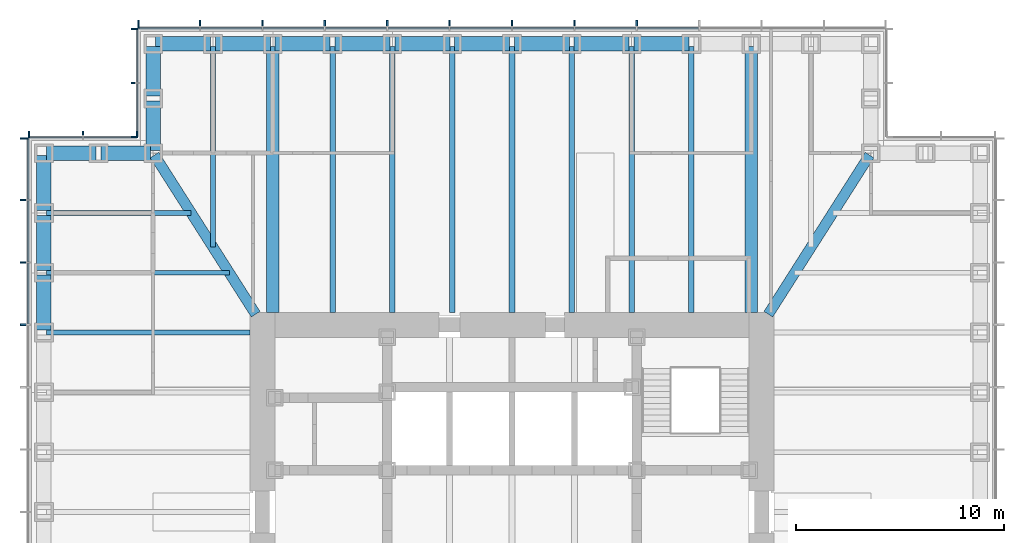
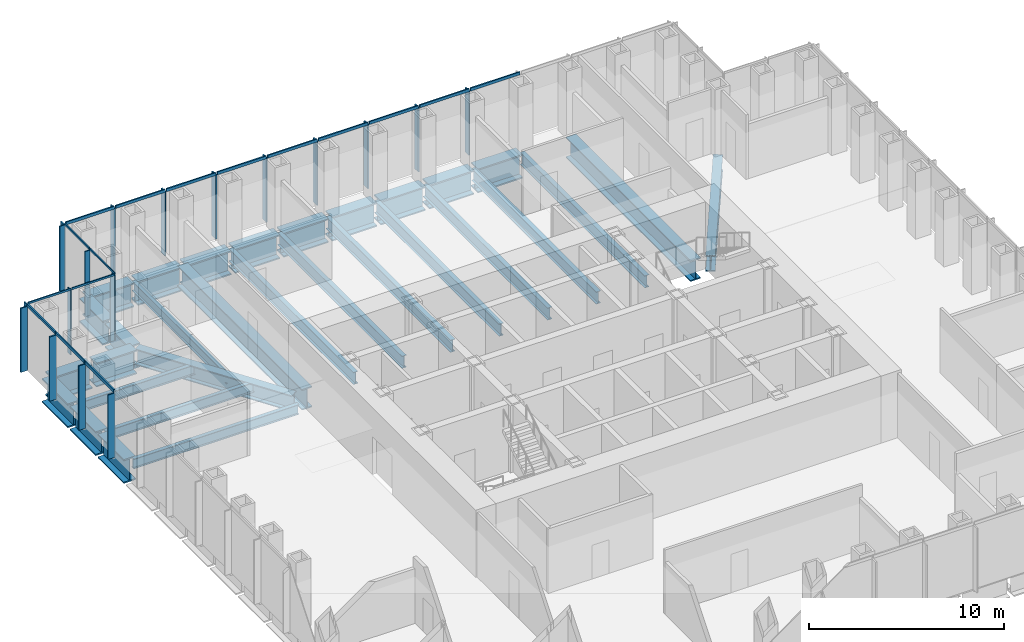
# One storey, part 5 of 17: 35 members, 31 beams, 4 elements without a shape of their own.
"""IFC4 building model written with IfcOpenShell, lengths in metres."""

from ifc_helpers import new_model, si_unit, direction, frame, origin, origin_2d, place, context, subcontext, project, spatial, rectangle, i_section, extrude, material, material_profile, profile_set, type_object, element, aggregate, save


model = new_model("IFC4")

# Units and contexts
model_context = context("Model", 3, precision=1e-05, world=origin(), true_north=direction((0.0, 1.0)))
body_context = subcontext(model_context, "Body", "Model", "MODEL_VIEW")
ifc_project = project(units=[si_unit("LENGTHUNIT", "METRE"), si_unit("AREAUNIT", "SQUARE_METRE"), si_unit("VOLUMEUNIT", "CUBIC_METRE"), si_unit("PLANEANGLEUNIT", "RADIAN"), si_unit("MASSUNIT", "GRAM", prefix="KILO")], contexts=[model_context])

# Site, building, storey
site_placement = place(None, origin())
site = spatial("IfcSite", under=ifc_project, at=site_placement, CompositionType="ELEMENT")
building_placement = place(site_placement, origin())
building = spatial("IfcBuilding", under=site, at=building_placement, Name="Daluyong Arena Tower", CompositionType="ELEMENT")
storey_placement = place(building_placement, frame((0.0, 0.0, 145.89990234375)))
storey = spatial("IfcBuildingStorey", under=building, at=storey_placement, Name="L32", CompositionType="ELEMENT", Elevation=145.89990234375)

# Curtain wall, members
ifc_material_1 = material(Name="Bronze anodised aluminium and glass", Category="aluminium")
curtain_wall_type_1 = type_object("IfcCurtainWallType", Name="Curtain wall CW2", PredefinedType="USERDEFINED", material=ifc_material_1)
curtain_wall_1_placement = place(storey_placement, origin())
curtain_wall_1 = element("IfcCurtainWall", 1, at=curtain_wall_1_placement, inside=storey, type_object=curtain_wall_type_1, Name="curtain wall L32 N", ObjectType="UNITISED CURTAIN WALL", PredefinedType="USERDEFINED")
ifc_material_2 = material(Name="Bronze anodised aluminium fin", Category="aluminium")
ifc_material_profile_1 = material_profile(ifc_material_2, rectangle(XDim=0.39990234375, YDim=0.080078125, at=origin_2d()))
ifc_profile_set_1 = profile_set([ifc_material_profile_1], Name="Bronze anodised aluminium fin")
member_type_1 = type_object("IfcMemberType", Name="CW2 bronze fin 400x80", PredefinedType="MULLION", material=ifc_profile_set_1)
member_1_placement = place(storey_placement, frame((62.0, 103.449951171875, 0.0), z_axis=(0.0, 0.0, 1.0), x_axis=(0.0, -1.0, 0.0)))
member_1 = element("IfcMember", 2, at=member_1_placement, type_object=member_type_1, Name="curtain wall L32 N fin 5", PredefinedType="MULLION", context=body_context, shape_type="SweptSolid", body=[
    extrude(rectangle(XDim=0.39990234375, YDim=0.080078125, at=origin_2d()), origin(), (0.0, 0.0, 1.0), 4.02001953125),
])
member_2_placement = place(storey_placement, frame((59.0, 103.449951171875, 0.0), z_axis=(0.0, 0.0, 1.0), x_axis=(0.0, -1.0, 0.0)))
member_2 = element("IfcMember", 3, at=member_2_placement, type_object=member_type_1, Name="curtain wall L32 N fin 6", PredefinedType="MULLION", context=body_context, shape_type="SweptSolid", body=[
    extrude(rectangle(XDim=0.39990234375, YDim=0.080078125, at=origin_2d()), origin(), (0.0, 0.0, 1.0), 4.02001953125),
])
member_3_placement = place(storey_placement, frame((56.0, 103.449951171875, 0.0), z_axis=(0.0, 0.0, 1.0), x_axis=(0.0, -1.0, 0.0)))
member_3 = element("IfcMember", 4, at=member_3_placement, type_object=member_type_1, Name="curtain wall L32 N fin 7", PredefinedType="MULLION", context=body_context, shape_type="SweptSolid", body=[
    extrude(rectangle(XDim=0.39990234375, YDim=0.080078125, at=origin_2d()), origin(), (0.0, 0.0, 1.0), 4.02001953125),
])
member_4_placement = place(storey_placement, frame((53.0, 103.449951171875, 0.0), z_axis=(0.0, 0.0, 1.0), x_axis=(0.0, -1.0, 0.0)))
member_4 = element("IfcMember", 5, at=member_4_placement, type_object=member_type_1, Name="curtain wall L32 N fin 8", PredefinedType="MULLION", context=body_context, shape_type="SweptSolid", body=[
    extrude(rectangle(XDim=0.39990234375, YDim=0.080078125, at=origin_2d()), origin(), (0.0, 0.0, 1.0), 4.02001953125),
])
member_5_placement = place(storey_placement, frame((50.0, 103.449951171875, 0.0), z_axis=(0.0, 0.0, 1.0), x_axis=(0.0, -1.0, 0.0)))
member_5 = element("IfcMember", 6, at=member_5_placement, type_object=member_type_1, Name="curtain wall L32 N fin 9", PredefinedType="MULLION", context=body_context, shape_type="SweptSolid", body=[
    extrude(rectangle(XDim=0.39990234375, YDim=0.080078125, at=origin_2d()), origin(), (0.0, 0.0, 1.0), 4.02001953125),
])
member_6_placement = place(storey_placement, frame((47.0, 103.449951171875, 0.0), z_axis=(0.0, 0.0, 1.0), x_axis=(0.0, -1.0, 0.0)))
member_6 = element("IfcMember", 7, at=member_6_placement, type_object=member_type_1, Name="curtain wall L32 N fin 10", PredefinedType="MULLION", context=body_context, shape_type="SweptSolid", body=[
    extrude(rectangle(XDim=0.39990234375, YDim=0.080078125, at=origin_2d()), origin(), (0.0, 0.0, 1.0), 4.02001953125),
])
member_7_placement = place(storey_placement, frame((44.0, 103.449951171875, 0.0), z_axis=(0.0, 0.0, 1.0), x_axis=(0.0, -1.0, 0.0)))
member_7 = element("IfcMember", 8, at=member_7_placement, type_object=member_type_1, Name="curtain wall L32 N fin 11", PredefinedType="MULLION", context=body_context, shape_type="SweptSolid", body=[
    extrude(rectangle(XDim=0.39990234375, YDim=0.080078125, at=origin_2d()), origin(), (0.0, 0.0, 1.0), 4.02001953125),
])
member_8_placement = place(storey_placement, frame((41.0, 103.449951171875, 0.0), z_axis=(0.0, 0.0, 1.0), x_axis=(0.0, -1.0, 0.0)))
member_8 = element("IfcMember", 9, at=member_8_placement, type_object=member_type_1, Name="curtain wall L32 N fin 12", PredefinedType="MULLION", context=body_context, shape_type="SweptSolid", body=[
    extrude(rectangle(XDim=0.39990234375, YDim=0.080078125, at=origin_2d()), origin(), (0.0, 0.0, 1.0), 4.02001953125),
])
member_9_placement = place(storey_placement, frame((38.0400390625, 103.449951171875, 0.0), z_axis=(0.0, 0.0, 1.0), x_axis=(0.0, -1.0, 0.0)))
member_9 = element("IfcMember", 10, at=member_9_placement, type_object=member_type_1, Name="curtain wall L32 N fin 13", PredefinedType="MULLION", context=body_context, shape_type="SweptSolid", body=[
    extrude(rectangle(XDim=0.39990234375, YDim=0.080078125, at=origin_2d()), origin(), (0.0, 0.0, 1.0), 4.02001953125),
])

curtain_wall_2_placement = place(storey_placement, origin())
curtain_wall_2 = element("IfcCurtainWall", 11, at=curtain_wall_2_placement, inside=storey, type_object=curtain_wall_type_1, Name="curtain wall L32 W", ObjectType="UNITISED CURTAIN WALL", PredefinedType="USERDEFINED")
member_10_placement = place(storey_placement, frame((32.550048828125, 97.9599609375, 0.0), z_axis=(0.0, 0.0, 1.0), x_axis=(1.0, 0.0, 0.0)))
member_10 = element("IfcMember", 12, at=member_10_placement, type_object=member_type_1, Name="curtain wall L32 W fin 1", PredefinedType="MULLION", context=body_context, shape_type="SweptSolid", body=[
    extrude(rectangle(XDim=0.39990234375, YDim=0.080078125, at=origin_2d()), origin(), (0.0, 0.0, 1.0), 4.02001953125),
])
member_11_placement = place(storey_placement, frame((32.550048828125, 95.0, 0.0), z_axis=(0.0, 0.0, 1.0), x_axis=(1.0, 0.0, 0.0)))
member_11 = element("IfcMember", 13, at=member_11_placement, type_object=member_type_1, Name="curtain wall L32 W fin 2", PredefinedType="MULLION", context=body_context, shape_type="SweptSolid", body=[
    extrude(rectangle(XDim=0.39990234375, YDim=0.080078125, at=origin_2d()), origin(), (0.0, 0.0, 1.0), 4.02001953125),
])
member_12_placement = place(storey_placement, frame((32.550048828125, 92.0, 0.0), z_axis=(0.0, 0.0, 1.0), x_axis=(1.0, 0.0, 0.0)))
member_12 = element("IfcMember", 14, at=member_12_placement, type_object=member_type_1, Name="curtain wall L32 W fin 3", PredefinedType="MULLION", context=body_context, shape_type="SweptSolid", body=[
    extrude(rectangle(XDim=0.39990234375, YDim=0.080078125, at=origin_2d()), origin(), (0.0, 0.0, 1.0), 4.02001953125),
])
member_13_placement = place(storey_placement, frame((32.550048828125, 89.0, 0.0), z_axis=(0.0, 0.0, 1.0), x_axis=(1.0, 0.0, 0.0)))
member_13 = element("IfcMember", 15, at=member_13_placement, type_object=member_type_1, Name="curtain wall L32 W fin 4", PredefinedType="MULLION", context=body_context, shape_type="SweptSolid", body=[
    extrude(rectangle(XDim=0.39990234375, YDim=0.080078125, at=origin_2d()), origin(), (0.0, 0.0, 1.0), 4.02001953125),
])

# Member
ifc_material_3 = material(Name="Bronze anodised aluminium", Category="aluminium")
ifc_material_profile_2 = material_profile(ifc_material_3, rectangle(XDim=0.080078125, YDim=0.179931640625, at=origin_2d()))
ifc_profile_set_2 = profile_set([ifc_material_profile_2], Name="Bronze anodised aluminium")
member_type_2 = type_object("IfcMemberType", Name="CW2 stack transom 180x80", PredefinedType="USERDEFINED", material=ifc_profile_set_2)
member_14_placement = place(storey_placement, frame((64.9599609375, 103.25, 4.110107421875), z_axis=(-1.0, 0.0, 0.0), x_axis=(0.0, -1.0, 0.0)))
member_14 = element("IfcMember", 16, at=member_14_placement, type_object=member_type_2, Name="curtain wall L32 N transom 4", ObjectType="TRANSOM", PredefinedType="USERDEFINED", context=body_context, shape_type="SweptSolid", body=[
    extrude(rectangle(XDim=0.080078125, YDim=0.179931640625, at=origin_2d()), origin(), (0.0, 0.0, 1.0), 2.919921875),
])

member_15_placement = place(storey_placement, frame((61.9599609375, 103.25, 4.110107421875), z_axis=(-1.0, 0.0, 0.0), x_axis=(0.0, -1.0, 0.0)))
member_15 = element("IfcMember", 17, at=member_15_placement, type_object=member_type_2, Name="curtain wall L32 N transom 5", ObjectType="TRANSOM", PredefinedType="USERDEFINED", context=body_context, shape_type="SweptSolid", body=[
    extrude(rectangle(XDim=0.080078125, YDim=0.179931640625, at=origin_2d()), origin(), (0.0, 0.0, 1.0), 2.919921875),
])

member_16_placement = place(storey_placement, frame((58.9599609375, 103.25, 4.110107421875), z_axis=(-1.0, 0.0, 0.0), x_axis=(0.0, -1.0, 0.0)))
member_16 = element("IfcMember", 18, at=member_16_placement, type_object=member_type_2, Name="curtain wall L32 N transom 6", ObjectType="TRANSOM", PredefinedType="USERDEFINED", context=body_context, shape_type="SweptSolid", body=[
    extrude(rectangle(XDim=0.080078125, YDim=0.179931640625, at=origin_2d()), origin(), (0.0, 0.0, 1.0), 2.919921875),
])

member_17_placement = place(storey_placement, frame((55.9599609375, 103.25, 4.110107421875), z_axis=(-1.0, 0.0, 0.0), x_axis=(0.0, -1.0, 0.0)))
member_17 = element("IfcMember", 19, at=member_17_placement, type_object=member_type_2, Name="curtain wall L32 N transom 7", ObjectType="TRANSOM", PredefinedType="USERDEFINED", context=body_context, shape_type="SweptSolid", body=[
    extrude(rectangle(XDim=0.080078125, YDim=0.179931640625, at=origin_2d()), origin(), (0.0, 0.0, 1.0), 2.919921875),
])

member_18_placement = place(storey_placement, frame((52.9599609375, 103.25, 4.110107421875), z_axis=(-1.0, 0.0, 0.0), x_axis=(0.0, -1.0, 0.0)))
member_18 = element("IfcMember", 20, at=member_18_placement, type_object=member_type_2, Name="curtain wall L32 N transom 8", ObjectType="TRANSOM", PredefinedType="USERDEFINED", context=body_context, shape_type="SweptSolid", body=[
    extrude(rectangle(XDim=0.080078125, YDim=0.179931640625, at=origin_2d()), origin(), (0.0, 0.0, 1.0), 2.919921875),
])

member_19_placement = place(storey_placement, frame((49.9599609375, 103.25, 4.110107421875), z_axis=(-1.0, 0.0, 0.0), x_axis=(0.0, -1.0, 0.0)))
member_19 = element("IfcMember", 21, at=member_19_placement, type_object=member_type_2, Name="curtain wall L32 N transom 9", ObjectType="TRANSOM", PredefinedType="USERDEFINED", context=body_context, shape_type="SweptSolid", body=[
    extrude(rectangle(XDim=0.080078125, YDim=0.179931640625, at=origin_2d()), origin(), (0.0, 0.0, 1.0), 2.919921875),
])

member_20_placement = place(storey_placement, frame((46.9599609375, 103.25, 4.110107421875), z_axis=(-1.0, 0.0, 0.0), x_axis=(0.0, -1.0, 0.0)))
member_20 = element("IfcMember", 22, at=member_20_placement, type_object=member_type_2, Name="curtain wall L32 N transom 10", ObjectType="TRANSOM", PredefinedType="USERDEFINED", context=body_context, shape_type="SweptSolid", body=[
    extrude(rectangle(XDim=0.080078125, YDim=0.179931640625, at=origin_2d()), origin(), (0.0, 0.0, 1.0), 2.919921875),
])

member_21_placement = place(storey_placement, frame((43.9599609375, 103.25, 4.110107421875), z_axis=(-1.0, 0.0, 0.0), x_axis=(0.0, -1.0, 0.0)))
member_21 = element("IfcMember", 23, at=member_21_placement, type_object=member_type_2, Name="curtain wall L32 N transom 11", ObjectType="TRANSOM", PredefinedType="USERDEFINED", context=body_context, shape_type="SweptSolid", body=[
    extrude(rectangle(XDim=0.080078125, YDim=0.179931640625, at=origin_2d()), origin(), (0.0, 0.0, 1.0), 2.919921875),
])

member_22_placement = place(storey_placement, frame((40.9599609375, 103.25, 4.110107421875), z_axis=(-1.0, 0.0, 0.0), x_axis=(0.0, -1.0, 0.0)))
member_22 = element("IfcMember", 24, at=member_22_placement, type_object=member_type_2, Name="curtain wall L32 N transom 12", ObjectType="TRANSOM", PredefinedType="USERDEFINED", context=body_context, shape_type="SweptSolid", body=[
    extrude(rectangle(XDim=0.080078125, YDim=0.179931640625, at=origin_2d()), origin(), (0.0, 0.0, 1.0), 2.8798828125),
])

aggregate(curtain_wall_1, [member_1, member_2, member_3, member_4, member_5, member_6, member_7, member_8, member_9, member_14, member_15, member_16, member_17, member_18, member_19, member_20, member_21, member_22])

member_23_placement = place(storey_placement, frame((32.75, 97.919921875, 4.110107421875), z_axis=(0.0, -1.0, 0.0), x_axis=(1.0, 0.0, 0.0)))
member_23 = element("IfcMember", 25, at=member_23_placement, type_object=member_type_2, Name="curtain wall L32 W transom 1", ObjectType="TRANSOM", PredefinedType="USERDEFINED", context=body_context, shape_type="SweptSolid", body=[
    extrude(rectangle(XDim=0.080078125, YDim=0.179931640625, at=origin_2d()), origin(), (0.0, 0.0, 1.0), 2.8798828125),
])

member_24_placement = place(storey_placement, frame((32.75, 94.9599609375, 4.110107421875), z_axis=(0.0, -1.0, 0.0), x_axis=(1.0, 0.0, 0.0)))
member_24 = element("IfcMember", 26, at=member_24_placement, type_object=member_type_2, Name="curtain wall L32 W transom 2", ObjectType="TRANSOM", PredefinedType="USERDEFINED", context=body_context, shape_type="SweptSolid", body=[
    extrude(rectangle(XDim=0.080078125, YDim=0.179931640625, at=origin_2d()), origin(), (0.0, 0.0, 1.0), 2.919921875),
])

member_25_placement = place(storey_placement, frame((32.75, 91.9599609375, 4.110107421875), z_axis=(0.0, -1.0, 0.0), x_axis=(1.0, 0.0, 0.0)))
member_25 = element("IfcMember", 27, at=member_25_placement, type_object=member_type_2, Name="curtain wall L32 W transom 3", ObjectType="TRANSOM", PredefinedType="USERDEFINED", context=body_context, shape_type="SweptSolid", body=[
    extrude(rectangle(XDim=0.080078125, YDim=0.179931640625, at=origin_2d()), origin(), (0.0, 0.0, 1.0), 2.919921875),
])

aggregate(curtain_wall_2, [member_10, member_11, member_12, member_13, member_23, member_24, member_25])

# Curtain wall, members
ifc_material_4 = material(Name="Bronze anodised aluminium and glass", Category="aluminium")
curtain_wall_type_2 = type_object("IfcCurtainWallType", Name="Curtain wall CW7", PredefinedType="USERDEFINED", material=ifc_material_4)
curtain_wall_3_placement = place(storey_placement, origin())
curtain_wall_3 = element("IfcCurtainWall", 28, at=curtain_wall_3_placement, inside=storey, type_object=curtain_wall_type_2, Name="curtain wall L32 NW-W", ObjectType="UNITISED CURTAIN WALL", PredefinedType="USERDEFINED")
ifc_material_5 = material(Name="Bronze anodised aluminium fin", Category="aluminium")
ifc_material_profile_3 = material_profile(ifc_material_5, rectangle(XDim=0.300048828125, YDim=0.06005859375, at=origin_2d()))
ifc_profile_set_3 = profile_set([ifc_material_profile_3], Name="Bronze anodised aluminium fin")
member_type_3 = type_object("IfcMemberType", Name="CW7 bronze fin 300x60", PredefinedType="MULLION", material=ifc_profile_set_3)
member_26_placement = place(storey_placement, frame((37.85009765625, 103.219970703125, 0.0), z_axis=(0.0, 0.0, 1.0), x_axis=(1.0, 0.0, 0.0)))
member_26 = element("IfcMember", 29, at=member_26_placement, type_object=member_type_3, Name="curtain wall L32 NW-W fin 1", PredefinedType="MULLION", context=body_context, shape_type="SweptSolid", body=[
    extrude(rectangle(XDim=0.300048828125, YDim=0.06005859375, at=origin_2d()), origin(), (0.0, 0.0, 1.0), 4.080078125),
])
member_27_placement = place(storey_placement, frame((37.85009765625, 100.625, 0.0), z_axis=(0.0, 0.0, 1.0), x_axis=(1.0, 0.0, 0.0)))
member_27 = element("IfcMember", 30, at=member_27_placement, type_object=member_type_3, Name="curtain wall L32 NW-W fin 2", PredefinedType="MULLION", context=body_context, shape_type="SweptSolid", body=[
    extrude(rectangle(XDim=0.300048828125, YDim=0.06005859375, at=origin_2d()), origin(), (0.0, 0.0, 1.0), 4.080078125),
])
member_28_placement = place(storey_placement, frame((37.85009765625, 98.030029296875, 0.0), z_axis=(0.0, 0.0, 1.0), x_axis=(1.0, 0.0, 0.0)))
member_28 = element("IfcMember", 31, at=member_28_placement, type_object=member_type_3, Name="curtain wall L32 NW-W fin 3", PredefinedType="MULLION", context=body_context, shape_type="SweptSolid", body=[
    extrude(rectangle(XDim=0.300048828125, YDim=0.06005859375, at=origin_2d()), origin(), (0.0, 0.0, 1.0), 4.080078125),
])

curtain_wall_4_placement = place(storey_placement, origin())
curtain_wall_4 = element("IfcCurtainWall", 32, at=curtain_wall_4_placement, inside=storey, type_object=curtain_wall_type_2, Name="curtain wall L32 NW-N", ObjectType="UNITISED CURTAIN WALL", PredefinedType="USERDEFINED")
member_29_placement = place(storey_placement, frame((37.969970703125, 98.14990234375, 0.0), z_axis=(0.0, 0.0, 1.0), x_axis=(0.0, -1.0, 0.0)))
member_29 = element("IfcMember", 33, at=member_29_placement, type_object=member_type_3, Name="curtain wall L32 NW-N fin 1", PredefinedType="MULLION", context=body_context, shape_type="SweptSolid", body=[
    extrude(rectangle(XDim=0.300048828125, YDim=0.06005859375, at=origin_2d()), origin(), (0.0, 0.0, 1.0), 4.080078125),
])
member_30_placement = place(storey_placement, frame((35.375, 98.14990234375, 0.0), z_axis=(0.0, 0.0, 1.0), x_axis=(0.0, -1.0, 0.0)))
member_30 = element("IfcMember", 34, at=member_30_placement, type_object=member_type_3, Name="curtain wall L32 NW-N fin 2", PredefinedType="MULLION", context=body_context, shape_type="SweptSolid", body=[
    extrude(rectangle(XDim=0.300048828125, YDim=0.06005859375, at=origin_2d()), origin(), (0.0, 0.0, 1.0), 4.080078125),
])
member_31_placement = place(storey_placement, frame((32.780029296875, 98.14990234375, 0.0), z_axis=(0.0, 0.0, 1.0), x_axis=(0.0, -1.0, 0.0)))
member_31 = element("IfcMember", 35, at=member_31_placement, type_object=member_type_3, Name="curtain wall L32 NW-N fin 3", PredefinedType="MULLION", context=body_context, shape_type="SweptSolid", body=[
    extrude(rectangle(XDim=0.300048828125, YDim=0.06005859375, at=origin_2d()), origin(), (0.0, 0.0, 1.0), 4.080078125),
])

# Member
ifc_material_6 = material(Name="Bronze anodised aluminium", Category="aluminium")
ifc_material_profile_4 = material_profile(ifc_material_6, rectangle(XDim=0.06005859375, YDim=0.1201171875, at=origin_2d()))
ifc_profile_set_4 = profile_set([ifc_material_profile_4], Name="Bronze anodised aluminium")
member_type_4 = type_object("IfcMemberType", Name="CW7 stack transom 120x60", PredefinedType="USERDEFINED", material=ifc_profile_set_4)
member_32_placement = place(storey_placement, frame((38.0, 103.18994140625, 4.14013671875), z_axis=(0.0, -1.0, 0.0), x_axis=(1.0, 0.0, 0.0)))
member_32 = element("IfcMember", 36, at=member_32_placement, type_object=member_type_4, Name="curtain wall L32 NW-W transom 1", ObjectType="TRANSOM", PredefinedType="USERDEFINED", context=body_context, shape_type="SweptSolid", body=[
    extrude(rectangle(XDim=0.06005859375, YDim=0.1201171875, at=origin_2d()), origin(), (0.0, 0.0, 1.0), 2.534912109375),
])

member_33_placement = place(storey_placement, frame((38.0, 100.594970703125, 4.14013671875), z_axis=(0.0, -1.0, 0.0), x_axis=(1.0, 0.0, 0.0)))
member_33 = element("IfcMember", 37, at=member_33_placement, type_object=member_type_4, Name="curtain wall L32 NW-W transom 2", ObjectType="TRANSOM", PredefinedType="USERDEFINED", context=body_context, shape_type="SweptSolid", body=[
    extrude(rectangle(XDim=0.06005859375, YDim=0.1201171875, at=origin_2d()), origin(), (0.0, 0.0, 1.0), 2.534912109375),
])

aggregate(curtain_wall_3, [member_26, member_27, member_28, member_32, member_33])

member_34_placement = place(storey_placement, frame((37.93994140625, 98.0, 4.14013671875), z_axis=(-1.0, 0.0, 0.0), x_axis=(0.0, -1.0, 0.0)))
member_34 = element("IfcMember", 38, at=member_34_placement, type_object=member_type_4, Name="curtain wall L32 NW-N transom 1", ObjectType="TRANSOM", PredefinedType="USERDEFINED", context=body_context, shape_type="SweptSolid", body=[
    extrude(rectangle(XDim=0.06005859375, YDim=0.1201171875, at=origin_2d()), origin(), (0.0, 0.0, 1.0), 2.534912109375),
])

member_35_placement = place(storey_placement, frame((35.344970703125, 98.0, 4.14013671875), z_axis=(-1.0, 0.0, 0.0), x_axis=(0.0, -1.0, 0.0)))
member_35 = element("IfcMember", 39, at=member_35_placement, type_object=member_type_4, Name="curtain wall L32 NW-N transom 2", ObjectType="TRANSOM", PredefinedType="USERDEFINED", context=body_context, shape_type="SweptSolid", body=[
    extrude(rectangle(XDim=0.06005859375, YDim=0.1201171875, at=origin_2d()), origin(), (0.0, 0.0, 1.0), 2.534912109375),
])

aggregate(curtain_wall_4, [member_29, member_30, member_31, member_34, member_35])

# Beams
ifc_material_7 = material(Name="Steel ASTM A572 Grade 50", Category="steel")
ifc_material_profile_5 = material_profile(ifc_material_7, i_section(OverallWidth=0.5, OverallDepth=1.0, WebThickness=0.03, FlangeThickness=0.06, at=origin_2d()))
ifc_profile_set_5 = profile_set([ifc_material_profile_5], Name="Steel ASTM A572 Grade 50")
beam_type_1 = type_object("IfcBeamType", Name="Corner girder TB1000X500", PredefinedType="BEAM", material=ifc_profile_set_5)
for number, where, z_axis, x_axis, name in (
    (40, (73.188232421875, 97.153076171875, -0.659912109375), (-0.536872006459, -0.843663705916, 0.0), (0.843663705916, -0.536872006459, 0.0), "corner girder DG2"),
    (41, (38.811767578125, 97.153076171875, -0.659912109375), (0.536872006459, -0.843663705916, 0.0), (0.843663705916, 0.536872006459, 0.0), "corner girder DG2"),
):
    element("IfcBeam", number, at=place(storey_placement, frame(where, z_axis=z_axis, x_axis=x_axis)), inside=storey, type_object=beam_type_1, Name=name, PredefinedType="BEAM", context=body_context, shape_type="SweptSolid", body=[
        extrude(i_section(OverallWidth=0.5, OverallDepth=1.0, WebThickness=0.03, FlangeThickness=0.06, at=origin_2d()), origin(), (0.0, 0.0, 1.0), 9.06396484375),
    ])
ifc_material_8 = material(Name="Steel ASTM A572 Grade 50", Category="steel")
ifc_material_profile_6 = material_profile(ifc_material_8, i_section(OverallWidth=0.60009765625, OverallDepth=1.300048828125, WebThickness=0.035, FlangeThickness=0.07, at=origin_2d()))
ifc_profile_set_6 = profile_set([ifc_material_profile_6], Name="Steel ASTM A572 Grade 50")
beam_type_2 = type_object("IfcBeamType", Name="Floor beam TB1300X600", PredefinedType="BEAM", material=ifc_profile_set_6)
for number, where, z_axis, x_axis, name in (
    (42, (67.5, 102.385009765625, -0.809814453125), (0.0, -1.0, 0.0), (1.0, 0.0, 0.0), "floor beam FB7"),
    (43, (44.5, 102.385009765625, -0.809814453125), (0.0, -1.0, 0.0), (1.0, 0.0, 0.0), "floor beam FB7"),
):
    element("IfcBeam", number, at=place(storey_placement, frame(where, z_axis=z_axis, x_axis=x_axis)), inside=storey, type_object=beam_type_2, Name=name, PredefinedType="BEAM", context=body_context, shape_type="SweptSolid", body=[
        extrude(i_section(OverallWidth=0.60009765625, OverallDepth=1.300048828125, WebThickness=0.035, FlangeThickness=0.07, at=origin_2d()), origin(), (0.0, 0.0, 1.0), 12.784912109375),
    ])
ifc_material_9 = material(Name="Steel ASTM A992 Grade 50", Category="steel")
ifc_material_profile_7 = material_profile(ifc_material_9, i_section(OverallWidth=0.22900390625, OverallDepth=0.612060546875, WebThickness=0.011962890625, FlangeThickness=0.01953125, at=origin_2d()))
ifc_profile_set_7 = profile_set([ifc_material_profile_7], Name="Steel ASTM A992 Grade 50")
beam_type_3 = type_object("IfcBeamType", Name="Floor beam W24X84", PredefinedType="BEAM", material=ifc_profile_set_7)
beam_1_placement = place(storey_placement, frame((41.625, 102.385009765625, -0.466064453125), z_axis=(0.0, -1.0, 0.0), x_axis=(1.0, 0.0, 0.0)))
element("IfcBeam", 44, at=beam_1_placement, inside=storey, type_object=beam_type_3, Name="floor beam FB3", PredefinedType="BEAM", context=body_context, shape_type="SweptSolid", body=[
    extrude(i_section(OverallWidth=0.22900390625, OverallDepth=0.612060546875, WebThickness=0.011962890625, FlangeThickness=0.01953125, at=origin_2d()), origin(), (0.0, 0.0, 1.0), 9.65283203125),
])
beam_2_placement = place(storey_placement, frame((33.614990234375, 94.375, -0.466064453125), z_axis=(1.0, 0.0, 0.0), x_axis=(0.0, 1.0, 0.0)))
element("IfcBeam", 45, at=beam_2_placement, inside=storey, type_object=beam_type_3, Name="floor beam FB3", PredefinedType="BEAM", context=body_context, shape_type="SweptSolid", body=[
    extrude(i_section(OverallWidth=0.22900390625, OverallDepth=0.612060546875, WebThickness=0.011962890625, FlangeThickness=0.01953125, at=origin_2d()), origin(), (0.0, 0.0, 1.0), 6.964599609375),
])
beam_3_placement = place(storey_placement, frame((33.614990234375, 91.5, -0.466064453125), z_axis=(1.0, 0.0, 0.0), x_axis=(0.0, 1.0, 0.0)))
element("IfcBeam", 46, at=beam_3_placement, inside=storey, type_object=beam_type_3, Name="floor beam FB3", PredefinedType="BEAM", context=body_context, shape_type="SweptSolid", body=[
    extrude(i_section(OverallWidth=0.22900390625, OverallDepth=0.612060546875, WebThickness=0.011962890625, FlangeThickness=0.01953125, at=origin_2d()), origin(), (0.0, 0.0, 1.0), 8.794189453125),
])
beam_4_placement = place(storey_placement, frame((33.614990234375, 88.625, -0.466064453125), z_axis=(1.0, 0.0, 0.0), x_axis=(0.0, 1.0, 0.0)))
element("IfcBeam", 47, at=beam_4_placement, inside=storey, type_object=beam_type_3, Name="floor beam FB3", PredefinedType="BEAM", context=body_context, shape_type="SweptSolid", body=[
    extrude(i_section(OverallWidth=0.22900390625, OverallDepth=0.612060546875, WebThickness=0.011962890625, FlangeThickness=0.01953125, at=origin_2d()), origin(), (0.0, 0.0, 1.0), 9.784912109375),
])
ifc_material_10 = material(Name="Steel ASTM A992 Grade 50", Category="steel")
ifc_material_profile_8 = material_profile(ifc_material_10, i_section(OverallWidth=0.2666015625, OverallDepth=0.761962890625, WebThickness=0.014404296875, FlangeThickness=0.021484375, at=origin_2d()))
ifc_profile_set_8 = profile_set([ifc_material_profile_8], Name="Steel ASTM A992 Grade 50")
beam_type_4 = type_object("IfcBeamType", Name="Floor beam W30X116", PredefinedType="BEAM", material=ifc_profile_set_8)
for number, where, z_axis, x_axis, name in (
    (48, (64.625, 102.385009765625, -0.541015625), (0.0, -1.0, 0.0), (1.0, 0.0, 0.0), "floor beam FB4"),
    (49, (61.75, 102.385009765625, -0.541015625), (0.0, -1.0, 0.0), (1.0, 0.0, 0.0), "floor beam FB4"),
    (50, (58.875, 102.385009765625, -0.541015625), (0.0, -1.0, 0.0), (1.0, 0.0, 0.0), "floor beam FB4"),
    (51, (56.0, 102.385009765625, -0.541015625), (0.0, -1.0, 0.0), (1.0, 0.0, 0.0), "floor beam FB4"),
    (52, (53.125, 102.385009765625, -0.541015625), (0.0, -1.0, 0.0), (1.0, 0.0, 0.0), "floor beam FB4"),
    (53, (50.25, 102.385009765625, -0.541015625), (0.0, -1.0, 0.0), (1.0, 0.0, 0.0), "floor beam FB4"),
    (54, (47.375, 102.385009765625, -0.541015625), (0.0, -1.0, 0.0), (1.0, 0.0, 0.0), "floor beam FB4"),
):
    element("IfcBeam", number, at=place(storey_placement, frame(where, z_axis=z_axis, x_axis=x_axis)), inside=storey, type_object=beam_type_4, Name=name, PredefinedType="BEAM", context=body_context, shape_type="SweptSolid", body=[
        extrude(i_section(OverallWidth=0.2666015625, OverallDepth=0.761962890625, WebThickness=0.014404296875, FlangeThickness=0.021484375, at=origin_2d()), origin(), (0.0, 0.0, 1.0), 12.784912109375),
    ])
ifc_material_11 = material(Name="Steel ASTM A572 Grade 50", Category="steel")
ifc_material_profile_9 = material_profile(ifc_material_11, i_section(OverallWidth=0.699951171875, OverallDepth=1.5, WebThickness=0.04, FlangeThickness=0.08, at=origin_2d()))
ifc_profile_set_9 = profile_set([ifc_material_profile_9], Name="Steel ASTM A572 Grade 50")
beam_type_5 = type_object("IfcBeamType", Name="Spandrel Z2 PG1500X700", PredefinedType="SPANDREL", material=ifc_profile_set_9)
for number, where, z_axis, x_axis, name in (
    (55, (64.510009765625, 102.5, -0.909912109375), (-1.0, 0.0, 0.0), (0.0, -1.0, 0.0), "spandrel z2 SB6"),
    (56, (61.635009765625, 102.5, -0.909912109375), (-1.0, 0.0, 0.0), (0.0, -1.0, 0.0), "spandrel z2 SB6"),
    (57, (58.760009765625, 102.5, -0.909912109375), (-1.0, 0.0, 0.0), (0.0, -1.0, 0.0), "spandrel z2 SB6"),
    (58, (55.885009765625, 102.5, -0.909912109375), (-1.0, 0.0, 0.0), (0.0, -1.0, 0.0), "spandrel z2 SB6"),
    (59, (53.010009765625, 102.5, -0.909912109375), (-1.0, 0.0, 0.0), (0.0, -1.0, 0.0), "spandrel z2 SB6"),
    (60, (50.135009765625, 102.5, -0.909912109375), (-1.0, 0.0, 0.0), (0.0, -1.0, 0.0), "spandrel z2 SB6"),
    (61, (47.260009765625, 102.5, -0.909912109375), (-1.0, 0.0, 0.0), (0.0, -1.0, 0.0), "spandrel z2 SB6"),
    (62, (44.385009765625, 102.5, -0.909912109375), (-1.0, 0.0, 0.0), (0.0, -1.0, 0.0), "spandrel z2 SB6"),
    (63, (41.510009765625, 102.5, -0.909912109375), (-1.0, 0.0, 0.0), (0.0, -1.0, 0.0), "spandrel z2 SB6"),
):
    element("IfcBeam", number, at=place(storey_placement, frame(where, z_axis=z_axis, x_axis=x_axis)), inside=storey, type_object=beam_type_5, Name=name, PredefinedType="SPANDREL", context=body_context, shape_type="SweptSolid", body=[
        extrude(i_section(OverallWidth=0.699951171875, OverallDepth=1.5, WebThickness=0.04, FlangeThickness=0.08, at=origin_2d()), origin(), (0.0, 0.0, 1.0), 2.64501953125),
    ])
for number, where, z_axis, x_axis, name in (
    (64, (38.75, 102.385009765625, -0.909912109375), (0.0, -1.0, 0.0), (1.0, 0.0, 0.0), "spandrel z2 SB6"),
    (65, (38.75, 99.760009765625, -0.909912109375), (0.0, -1.0, 0.0), (1.0, 0.0, 0.0), "spandrel z2 SB6"),
    (66, (38.635009765625, 97.25, -0.909912109375), (-1.0, 0.0, 0.0), (0.0, -1.0, 0.0), "spandrel z2 SB6"),
    (67, (36.010009765625, 97.25, -0.909912109375), (-1.0, 0.0, 0.0), (0.0, -1.0, 0.0), "spandrel z2 SB6"),
):
    element("IfcBeam", number, at=place(storey_placement, frame(where, z_axis=z_axis, x_axis=x_axis)), inside=storey, type_object=beam_type_5, Name=name, PredefinedType="SPANDREL", context=body_context, shape_type="SweptSolid", body=[
        extrude(i_section(OverallWidth=0.699951171875, OverallDepth=1.5, WebThickness=0.04, FlangeThickness=0.08, at=origin_2d()), origin(), (0.0, 0.0, 1.0), 2.39501953125),
    ])
for number, where, z_axis, x_axis, name in (
    (68, (33.5, 97.135009765625, -0.909912109375), (0.0, -1.0, 0.0), (1.0, 0.0, 0.0), "spandrel z2 SB6"),
    (69, (33.5, 94.260009765625, -0.909912109375), (0.0, -1.0, 0.0), (1.0, 0.0, 0.0), "spandrel z2 SB6"),
    (70, (33.5, 91.385009765625, -0.909912109375), (0.0, -1.0, 0.0), (1.0, 0.0, 0.0), "spandrel z2 SB6"),
):
    element("IfcBeam", number, at=place(storey_placement, frame(where, z_axis=z_axis, x_axis=x_axis)), inside=storey, type_object=beam_type_5, Name=name, PredefinedType="SPANDREL", context=body_context, shape_type="SweptSolid", body=[
        extrude(i_section(OverallWidth=0.699951171875, OverallDepth=1.5, WebThickness=0.04, FlangeThickness=0.08, at=origin_2d()), origin(), (0.0, 0.0, 1.0), 2.64501953125),
    ])

save(model, "model.ifc")
